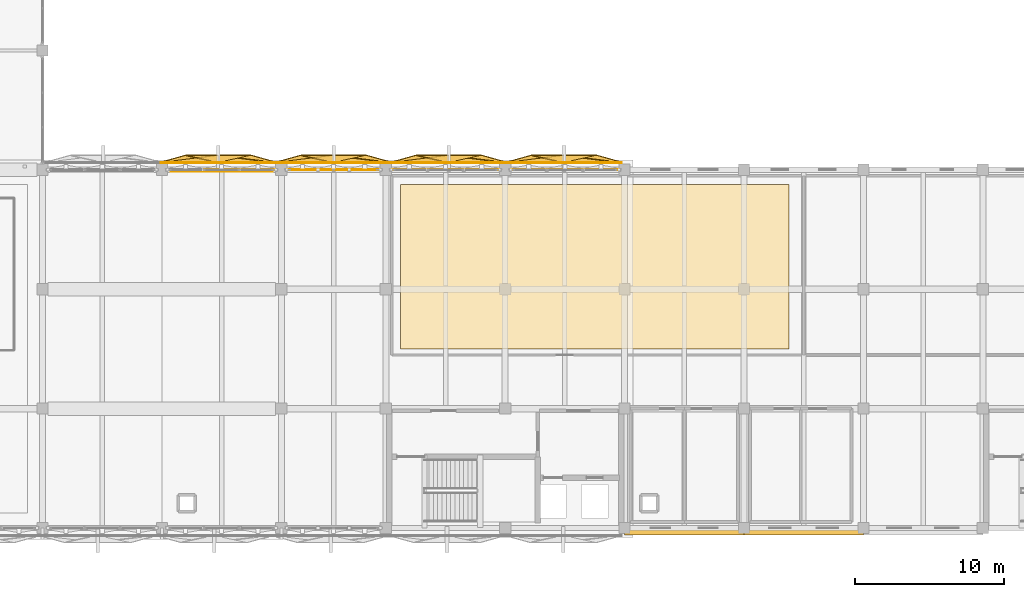
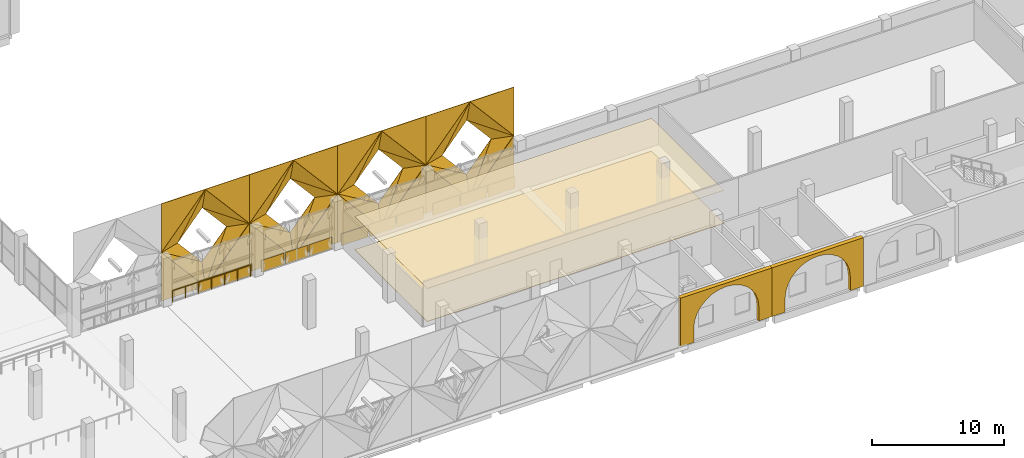
# One storey, part 47 of 53: 63 coverings, 1 railing.
"""IFC4 building model written with IfcOpenShell, lengths in metres."""

from ifc_helpers import new_model, si_unit, direction, frame, origin, origin_2d, place, context, subcontext, project, spatial, polyline, rectangle, circle, outline, extrude, material, layer, layer_set, type_object, element, save


model = new_model("IFC4")

# Units and contexts
model_context = context("Model", 3, precision=1e-05, world=origin(), true_north=direction((0.0, 1.0)))
body_context = subcontext(model_context, "Body", "Model", "MODEL_VIEW")
ifc_project = project(units=[si_unit("LENGTHUNIT", "METRE"), si_unit("AREAUNIT", "SQUARE_METRE"), si_unit("VOLUMEUNIT", "CUBIC_METRE"), si_unit("PLANEANGLEUNIT", "RADIAN"), si_unit("MASSUNIT", "GRAM", prefix="KILO")], contexts=[model_context])

# Site, building, storey
site_placement = place(None, origin())
site = spatial("IfcSite", under=ifc_project, at=site_placement, CompositionType="ELEMENT")
building_placement = place(site_placement, origin())
building = spatial("IfcBuilding", under=site, at=building_placement, Name="Qorikala Patio Media Centre", CompositionType="ELEMENT")
storey_placement = place(building_placement, frame((0.0, 0.0, 5.39990234375)))
storey = spatial("IfcBuildingStorey", under=building, at=storey_placement, Name="L01", CompositionType="ELEMENT", Elevation=5.39990234375)

# Coverings
ifc_material_1 = material(Name="Perforated Andean Timber Acoustic Ceiling", Category="wood")
ifc_layer_1 = layer(ifc_material_1, 0.0400390625)
ifc_layer_set_1 = layer_set([ifc_layer_1], Name="Perforated Andean Timber Acoustic Ceiling")
covering_type_1 = type_object("IfcCoveringType", Name="COV-CEIL-AC", PredefinedType="CEILING", material=ifc_layer_set_1)
covering_1_placement = place(storey_placement, frame((0.0, 0.0, 3.050048828125)))
element("IfcCovering", 1, at=covering_1_placement, inside=storey, type_object=covering_type_1, Name="L01 Acoustic Timber Ceiling 04", PredefinedType="CEILING", context=body_context, shape_type="SweptSolid", body=[
    extrude(outline(polyline([(83.0, 15.0), (109.0, 15.0), (109.0, 26.0), (83.0, 26.0), (83.0, 15.0)])), origin(), (0.0, 0.0, 1.0), 0.0400390625),
])
ifc_material_2 = material(Name="Golden Bronze Anodised Aluminium Panel", Category="aluminium")
ifc_layer_2 = layer(ifc_material_2, 0.044921875)
ifc_layer_set_2 = layer_set([ifc_layer_2], Name="Golden Bronze Anodised Aluminium Panel")
covering_type_2 = type_object("IfcCoveringType", Name="COV-CLAD-GOLD", PredefinedType="CLADDING", material=ifc_layer_set_2)
for number, where, z_axis, x_axis, name in (
    (2, (71.0, 27.0, 0.0), (0.0, 0.0, 1.0), (1.0, 0.0, 0.0), "L01 Golden Diamond Fold Spandrel 014"),
    (3, (73.4267578125, 27.0, 0.0), (0.0, 0.0, 1.0), (1.0, 0.0, 0.0), "L01 Golden Diamond Fold Spandrel 015"),
):
    element("IfcCovering", number, at=place(storey_placement, frame(where, z_axis=z_axis, x_axis=x_axis)), inside=storey, type_object=covering_type_2, Name=name, PredefinedType="CLADDING", context=body_context, shape_type="SweptSolid", body=[
        extrude(rectangle(XDim=2.32666015625, YDim=0.044921875, at=origin_2d()), origin(), (0.0, 0.0, 1.0), 1.077880859375),
    ])
for number, where, z_axis, x_axis, name in (
    (4, (76.40673828125, 27.0, 0.0), (0.0, 0.0, 1.0), (1.0, 0.0, 0.0), "L01 Golden Diamond Fold Spandrel 016"),
    (5, (78.5, 27.0, 0.0), (0.0, 0.0, 1.0), (1.0, 0.0, 0.0), "L01 Golden Diamond Fold Spandrel 017"),
    (6, (80.59326171875, 27.0, 0.0), (0.0, 0.0, 1.0), (1.0, 0.0, 0.0), "L01 Golden Diamond Fold Spandrel 018"),
):
    element("IfcCovering", number, at=place(storey_placement, frame(where, z_axis=z_axis, x_axis=x_axis)), inside=storey, type_object=covering_type_2, Name=name, PredefinedType="CLADDING", context=body_context, shape_type="SweptSolid", body=[
        extrude(rectangle(XDim=1.993408203125, YDim=0.044921875, at=origin_2d()), origin(), (0.0, 0.0, 1.0), 1.077880859375),
    ])
for number, where, z_axis, x_axis, name in (
    (7, (83.5732421875, 27.0, 0.0), (0.0, 0.0, 1.0), (1.0, 0.0, 0.0), "L01 Golden Diamond Fold Spandrel 019"),
    (8, (86.0, 27.0, 0.0), (0.0, 0.0, 1.0), (1.0, 0.0, 0.0), "L01 Golden Diamond Fold Spandrel 020"),
    (9, (88.4267578125, 27.0, 0.0), (0.0, 0.0, 1.0), (1.0, 0.0, 0.0), "L01 Golden Diamond Fold Spandrel 021"),
    (10, (91.5732421875, 27.0, 0.0), (0.0, 0.0, 1.0), (1.0, 0.0, 0.0), "L01 Golden Diamond Fold Spandrel 022"),
    (11, (94.0, 27.0, 0.0), (0.0, 0.0, 1.0), (1.0, 0.0, 0.0), "L01 Golden Diamond Fold Spandrel 023"),
    (12, (96.4267578125, 27.0, 0.0), (0.0, 0.0, 1.0), (1.0, 0.0, 0.0), "L01 Golden Diamond Fold Spandrel 024"),
):
    element("IfcCovering", number, at=place(storey_placement, frame(where, z_axis=z_axis, x_axis=x_axis)), inside=storey, type_object=covering_type_2, Name=name, PredefinedType="CLADDING", context=body_context, shape_type="SweptSolid", body=[
        extrude(rectangle(XDim=2.32666015625, YDim=0.044921875, at=origin_2d()), origin(), (0.0, 0.0, 1.0), 1.077880859375),
    ])
covering_2_placement = place(storey_placement, frame((70.780029296875, 27.5, 9.0), z_axis=(-0.262462378719, 0.93830974756, 0.225140661346), x_axis=(-0.651079578851, 0.0, -0.759009474251)))
element("IfcCovering", 13, at=covering_2_placement, inside=storey, type_object=covering_type_2, Name="Golden Folded Diamond Facet N-1.2.TLA", PredefinedType="CLADDING", context=body_context, shape_type="SweptSolid", body=[
    extrude(outline(polyline([(0.0, 0.0), (5.928779748684755, 0.0), (4.822929985484664, -1.373924994689336), (0.0, 0.0)])), origin(), (0.0, 0.0, -1.0), 0.044921875),
])
covering_3_placement = place(storey_placement, frame((70.780029296875, 27.5, 9.0), z_axis=(-0.262476283203, 0.938304391158, 0.225146774993), x_axis=(-0.431047420192, 0.094738906674, -0.897341997851)))
element("IfcCovering", 14, at=covering_3_placement, inside=storey, type_object=covering_type_2, Name="Golden Folded Diamond Facet N-1.2.TLB", PredefinedType="CLADDING", context=body_context, shape_type="SweptSolid", body=[
    extrude(outline(polyline([(0.0, 0.0), (5.014810418741589, 0.0), (1.8217298620516404, -0.9095827336284614), (0.0, 0.0)])), origin(), (0.0, 0.0, -1.0), 0.044921875),
])
covering_4_placement = place(storey_placement, frame((74.639892578125, 27.5, 4.5), z_axis=(0.26248543046, 0.938301971613, 0.225146194422), x_axis=(-0.651055854923, 0.0, 0.759029824032)))
element("IfcCovering", 15, at=covering_4_placement, inside=storey, type_object=covering_type_2, Name="Golden Folded Diamond Facet N-1.2.TRA", PredefinedType="CLADDING", context=body_context, shape_type="SweptSolid", body=[
    extrude(outline(polyline([(0.0, 0.0), (5.928620796605397, 0.0), (4.425756569823238, -1.3738411682083829), (0.0, 0.0)])), origin(), (0.0, 0.0, -1.0), 0.044921875),
])
covering_5_placement = place(storey_placement, frame((74.639892578125, 27.5, 4.5), z_axis=(0.262495941529, 0.938294845466, 0.225163637502), x_axis=(-0.832928561936, 0.102522389723, 0.543800671493)))
element("IfcCovering", 16, at=covering_5_placement, inside=storey, type_object=covering_type_2, Name="Golden Folded Diamond Facet N-1.2.TRB", PredefinedType="CLADDING", context=body_context, shape_type="SweptSolid", body=[
    extrude(outline(polyline([(0.0, 0.0), (4.634086832462004, -4.440892098500626e-16), (1.463222570124503, -0.9842377866436913), (0.0, 0.0)])), origin(), (0.0, 0.0, -1.0), 0.044921875),
])
covering_6_placement = place(storey_placement, frame((70.780029296875, 27.5, 0.0), z_axis=(-0.262496439609, -0.938296625859, 0.22515563749), x_axis=(0.651055854923, 0.0, 0.759029824032)))
element("IfcCovering", 17, at=covering_6_placement, inside=storey, type_object=covering_type_2, Name="Golden Folded Diamond Facet N-1.2.BRA", PredefinedType="CLADDING", context=body_context, shape_type="SweptSolid", body=[
    extrude(outline(polyline([(0.0, 0.0), (5.928620796605397, 0.0), (4.822970277355765, 1.3737835490578736), (0.0, 0.0)])), origin(), (0.0, 0.0, -1.0), 0.044921875),
])
covering_7_placement = place(storey_placement, frame((70.780029296875, 27.5, 0.0), z_axis=(-0.262476283203, -0.938304391158, 0.225146774993), x_axis=(0.431047420192, 0.094738906674, 0.897341997851)))
element("IfcCovering", 18, at=covering_7_placement, inside=storey, type_object=covering_type_2, Name="Golden Folded Diamond Facet N-1.2.BRB", PredefinedType="CLADDING", context=body_context, shape_type="SweptSolid", body=[
    extrude(outline(polyline([(0.0, 0.0), (5.014810418741589, 0.0), (1.8217298620516404, 0.9095827336284614), (0.0, 0.0)])), origin(), (0.0, 0.0, -1.0), 0.044921875),
])
covering_8_placement = place(storey_placement, frame((66.919921875, 27.5, 4.5), z_axis=(0.262469972732, -0.93830606029, 0.225147175502), x_axis=(0.651079578851, 0.0, -0.759009474251)))
element("IfcCovering", 19, at=covering_8_placement, inside=storey, type_object=covering_type_2, Name="Golden Folded Diamond Facet N-1.2.BLA", PredefinedType="CLADDING", context=body_context, shape_type="SweptSolid", body=[
    extrude(outline(polyline([(0.0, 0.0), (5.928779748684755, 4.440892098500626e-16), (4.4259558140712985, 1.3738852430820574), (0.0, 0.0)])), origin(), (0.0, 0.0, -1.0), 0.044921875),
])
covering_9_placement = place(storey_placement, frame((66.919921875, 27.5, 4.5), z_axis=(0.262462722231, -0.938310975623, 0.225135142669), x_axis=(0.83294469419, 0.102517891019, -0.5437768094)))
element("IfcCovering", 20, at=covering_9_placement, inside=storey, type_object=covering_type_2, Name="Golden Folded Diamond Facet N-1.2.BLB", PredefinedType="CLADDING", context=body_context, shape_type="SweptSolid", body=[
    extrude(outline(polyline([(0.0, 0.0), (4.634290186131008, -4.440892098500626e-16), (1.4634511849127112, 0.9843191653012606), (0.0, 0.0)])), origin(), (0.0, 0.0, -1.0), 0.044921875),
])
covering_10_placement = place(storey_placement, frame((66.919921875, 27.5, 9.0), z_axis=(0.0, 1.0, 0.0), x_axis=(1.0, 0.0, 0.0)))
element("IfcCovering", 21, at=covering_10_placement, inside=storey, type_object=covering_type_2, Name="Golden Diamond Valley Spandrel N-1.2.CTL", PredefinedType="CLADDING", context=body_context, shape_type="SweptSolid", body=[
    extrude(outline(polyline([(0.0, 0.0), (3.860107421875, 0.0), (0.0, 4.5), (0.0, 0.0)])), origin(), (0.0, 0.0, -1.0), 0.044921875),
])
covering_11_placement = place(storey_placement, frame((74.639892578125, 27.5, 9.0), z_axis=(0.0, 1.0, 0.0), x_axis=(0.0, 0.0, -1.0)))
element("IfcCovering", 22, at=covering_11_placement, inside=storey, type_object=covering_type_2, Name="Golden Diamond Valley Spandrel N-1.2.CTR", PredefinedType="CLADDING", context=body_context, shape_type="SweptSolid", body=[
    extrude(outline(polyline([(0.0, 0.0), (4.5, 0.0), (0.0, 3.85986328125), (0.0, 0.0)])), origin(), (0.0, 0.0, -1.0), 0.044921875),
])
covering_12_placement = place(storey_placement, frame((74.639892578125, 27.5, 0.0), z_axis=(0.0, 1.0, 0.0), x_axis=(-1.0, 0.0, 0.0)))
element("IfcCovering", 23, at=covering_12_placement, inside=storey, type_object=covering_type_2, Name="Golden Diamond Valley Spandrel N-1.2.CBR", PredefinedType="CLADDING", context=body_context, shape_type="SweptSolid", body=[
    extrude(outline(polyline([(0.0, 0.0), (3.85986328125, 0.0), (0.0, 4.5), (0.0, 0.0)])), origin(), (0.0, 0.0, -1.0), 0.044921875),
])
covering_13_placement = place(storey_placement, frame((66.919921875, 27.5, 0.0), z_axis=(0.0, 1.0, 0.0), x_axis=(0.0, 0.0, 1.0)))
element("IfcCovering", 24, at=covering_13_placement, inside=storey, type_object=covering_type_2, Name="Golden Diamond Valley Spandrel N-1.2.CBL", PredefinedType="CLADDING", context=body_context, shape_type="SweptSolid", body=[
    extrude(outline(polyline([(0.0, 0.0), (4.5, 0.0), (0.0, 3.860107421875), (0.0, 0.0)])), origin(), (0.0, 0.0, -1.0), 0.044921875),
])
covering_14_placement = place(storey_placement, frame((78.5, 27.5, 9.0), z_axis=(-0.262462378719, 0.93830974756, 0.225140661346), x_axis=(-0.651079578851, 0.0, -0.759009474251)))
element("IfcCovering", 25, at=covering_14_placement, inside=storey, type_object=covering_type_2, Name="Golden Folded Diamond Facet N-1.3.TLA", PredefinedType="CLADDING", context=body_context, shape_type="SweptSolid", body=[
    extrude(outline(polyline([(0.0, 0.0), (5.928779748684755, 0.0), (4.822929985484664, -1.373924994689336), (0.0, 0.0)])), origin(), (0.0, 0.0, -1.0), 0.044921875),
])
covering_15_placement = place(storey_placement, frame((78.5, 27.5, 9.0), z_axis=(-0.262476283203, 0.938304391158, 0.225146774993), x_axis=(-0.431047420192, 0.094738906674, -0.897341997851)))
element("IfcCovering", 26, at=covering_15_placement, inside=storey, type_object=covering_type_2, Name="Golden Folded Diamond Facet N-1.3.TLB", PredefinedType="CLADDING", context=body_context, shape_type="SweptSolid", body=[
    extrude(outline(polyline([(0.0, 0.0), (5.014810418741589, 0.0), (1.8217298620516404, -0.9095827336284614), (0.0, 0.0)])), origin(), (0.0, 0.0, -1.0), 0.044921875),
])
covering_16_placement = place(storey_placement, frame((82.360107421875, 27.5, 4.5), z_axis=(0.262469972732, 0.93830606029, 0.225147175502), x_axis=(-0.651079578851, 0.0, 0.759009474251)))
element("IfcCovering", 27, at=covering_16_placement, inside=storey, type_object=covering_type_2, Name="Golden Folded Diamond Facet N-1.3.TRA", PredefinedType="CLADDING", context=body_context, shape_type="SweptSolid", body=[
    extrude(outline(polyline([(0.0, 0.0), (5.928779748684755, -4.440892098500626e-16), (4.4259558140712985, -1.3738852430820574), (0.0, 0.0)])), origin(), (0.0, 0.0, -1.0), 0.044921875),
])
covering_17_placement = place(storey_placement, frame((82.360107421875, 27.5, 4.5), z_axis=(0.262462722231, 0.938310975623, 0.225135142669), x_axis=(-0.83294469419, 0.102517891019, 0.5437768094)))
element("IfcCovering", 28, at=covering_17_placement, inside=storey, type_object=covering_type_2, Name="Golden Folded Diamond Facet N-1.3.TRB", PredefinedType="CLADDING", context=body_context, shape_type="SweptSolid", body=[
    extrude(outline(polyline([(0.0, 0.0), (4.634290186131008, 4.440892098500626e-16), (1.4634511849127112, -0.9843191653012606), (0.0, 0.0)])), origin(), (0.0, 0.0, -1.0), 0.044921875),
])
covering_18_placement = place(storey_placement, frame((78.5, 27.5, 0.0), z_axis=(-0.262462378719, -0.93830974756, 0.225140661346), x_axis=(0.651079578851, 0.0, 0.759009474251)))
element("IfcCovering", 29, at=covering_18_placement, inside=storey, type_object=covering_type_2, Name="Golden Folded Diamond Facet N-1.3.BRA", PredefinedType="CLADDING", context=body_context, shape_type="SweptSolid", body=[
    extrude(outline(polyline([(0.0, 0.0), (5.928779748684755, 0.0), (4.822929985484664, 1.373924994689336), (0.0, 0.0)])), origin(), (0.0, 0.0, -1.0), 0.044921875),
])
covering_19_placement = place(storey_placement, frame((78.5, 27.5, 0.0), z_axis=(-0.262476283203, -0.938304391158, 0.225146774993), x_axis=(0.431047420192, 0.094738906674, 0.897341997851)))
element("IfcCovering", 30, at=covering_19_placement, inside=storey, type_object=covering_type_2, Name="Golden Folded Diamond Facet N-1.3.BRB", PredefinedType="CLADDING", context=body_context, shape_type="SweptSolid", body=[
    extrude(outline(polyline([(0.0, 0.0), (5.014810418741589, 0.0), (1.8217298620516404, 0.9095827336284614), (0.0, 0.0)])), origin(), (0.0, 0.0, -1.0), 0.044921875),
])
covering_20_placement = place(storey_placement, frame((74.639892578125, 27.5, 4.5), z_axis=(0.262469972732, -0.93830606029, 0.225147175502), x_axis=(0.651079578851, 0.0, -0.759009474251)))
element("IfcCovering", 31, at=covering_20_placement, inside=storey, type_object=covering_type_2, Name="Golden Folded Diamond Facet N-1.3.BLA", PredefinedType="CLADDING", context=body_context, shape_type="SweptSolid", body=[
    extrude(outline(polyline([(0.0, 0.0), (5.928779748684755, 4.440892098500626e-16), (4.4259558140712985, 1.3738852430820574), (0.0, 0.0)])), origin(), (0.0, 0.0, -1.0), 0.044921875),
])
covering_21_placement = place(storey_placement, frame((74.639892578125, 27.5, 4.5), z_axis=(0.262462722231, -0.938310975623, 0.225135142669), x_axis=(0.83294469419, 0.102517891019, -0.5437768094)))
element("IfcCovering", 32, at=covering_21_placement, inside=storey, type_object=covering_type_2, Name="Golden Folded Diamond Facet N-1.3.BLB", PredefinedType="CLADDING", context=body_context, shape_type="SweptSolid", body=[
    extrude(outline(polyline([(0.0, 0.0), (4.634290186131008, -4.440892098500626e-16), (1.4634511849127112, 0.9843191653012606), (0.0, 0.0)])), origin(), (0.0, 0.0, -1.0), 0.044921875),
])
covering_22_placement = place(storey_placement, frame((74.639892578125, 27.5, 9.0), z_axis=(0.0, 1.0, 0.0), x_axis=(1.0, 0.0, 0.0)))
element("IfcCovering", 33, at=covering_22_placement, inside=storey, type_object=covering_type_2, Name="Golden Diamond Valley Spandrel N-1.3.CTL", PredefinedType="CLADDING", context=body_context, shape_type="SweptSolid", body=[
    extrude(outline(polyline([(0.0, 0.0), (3.860107421875, 0.0), (0.0, 4.5), (0.0, 0.0)])), origin(), (0.0, 0.0, -1.0), 0.044921875),
])
covering_23_placement = place(storey_placement, frame((82.360107421875, 27.5, 9.0), z_axis=(0.0, 1.0, 0.0), x_axis=(0.0, 0.0, -1.0)))
element("IfcCovering", 34, at=covering_23_placement, inside=storey, type_object=covering_type_2, Name="Golden Diamond Valley Spandrel N-1.3.CTR", PredefinedType="CLADDING", context=body_context, shape_type="SweptSolid", body=[
    extrude(outline(polyline([(0.0, 0.0), (4.5, 0.0), (0.0, 3.860107421875), (0.0, 0.0)])), origin(), (0.0, 0.0, -1.0), 0.044921875),
])
covering_24_placement = place(storey_placement, frame((82.360107421875, 27.5, 0.0), z_axis=(0.0, 1.0, 0.0), x_axis=(-1.0, 0.0, 0.0)))
element("IfcCovering", 35, at=covering_24_placement, inside=storey, type_object=covering_type_2, Name="Golden Diamond Valley Spandrel N-1.3.CBR", PredefinedType="CLADDING", context=body_context, shape_type="SweptSolid", body=[
    extrude(outline(polyline([(0.0, 0.0), (3.860107421875, 0.0), (0.0, 4.5), (0.0, 0.0)])), origin(), (0.0, 0.0, -1.0), 0.044921875),
])
covering_25_placement = place(storey_placement, frame((74.639892578125, 27.5, 0.0), z_axis=(0.0, 1.0, 0.0), x_axis=(0.0, 0.0, 1.0)))
element("IfcCovering", 36, at=covering_25_placement, inside=storey, type_object=covering_type_2, Name="Golden Diamond Valley Spandrel N-1.3.CBL", PredefinedType="CLADDING", context=body_context, shape_type="SweptSolid", body=[
    extrude(outline(polyline([(0.0, 0.0), (4.5, 0.0), (0.0, 3.860107421875), (0.0, 0.0)])), origin(), (0.0, 0.0, -1.0), 0.044921875),
])
covering_26_placement = place(storey_placement, frame((86.219970703125, 27.5, 9.0), z_axis=(-0.262496439609, 0.938296625859, 0.22515563749), x_axis=(-0.651055854923, 0.0, -0.759029824032)))
element("IfcCovering", 37, at=covering_26_placement, inside=storey, type_object=covering_type_2, Name="Golden Folded Diamond Facet N-1.4.TLA", PredefinedType="CLADDING", context=body_context, shape_type="SweptSolid", body=[
    extrude(outline(polyline([(0.0, 0.0), (5.928620796605397, 0.0), (4.822970277355765, -1.3737835490578736), (0.0, 0.0)])), origin(), (0.0, 0.0, -1.0), 0.044921875),
])
covering_27_placement = place(storey_placement, frame((86.219970703125, 27.5, 9.0), z_axis=(-0.262476283203, 0.938304391158, 0.225146774993), x_axis=(-0.431047420192, 0.094738906674, -0.897341997851)))
element("IfcCovering", 38, at=covering_27_placement, inside=storey, type_object=covering_type_2, Name="Golden Folded Diamond Facet N-1.4.TLB", PredefinedType="CLADDING", context=body_context, shape_type="SweptSolid", body=[
    extrude(outline(polyline([(0.0, 0.0), (5.014810418741589, 0.0), (1.8217298620516404, -0.9095827336284614), (0.0, 0.0)])), origin(), (0.0, 0.0, -1.0), 0.044921875),
])
covering_28_placement = place(storey_placement, frame((90.080078125, 27.5, 4.5), z_axis=(0.262469972732, 0.93830606029, 0.225147175502), x_axis=(-0.651079578851, 0.0, 0.759009474251)))
element("IfcCovering", 39, at=covering_28_placement, inside=storey, type_object=covering_type_2, Name="Golden Folded Diamond Facet N-1.4.TRA", PredefinedType="CLADDING", context=body_context, shape_type="SweptSolid", body=[
    extrude(outline(polyline([(0.0, 0.0), (5.928779748684755, -4.440892098500626e-16), (4.4259558140712985, -1.3738852430820574), (0.0, 0.0)])), origin(), (0.0, 0.0, -1.0), 0.044921875),
])
covering_29_placement = place(storey_placement, frame((90.080078125, 27.5, 4.5), z_axis=(0.262462722231, 0.938310975623, 0.225135142669), x_axis=(-0.83294469419, 0.102517891019, 0.5437768094)))
element("IfcCovering", 40, at=covering_29_placement, inside=storey, type_object=covering_type_2, Name="Golden Folded Diamond Facet N-1.4.TRB", PredefinedType="CLADDING", context=body_context, shape_type="SweptSolid", body=[
    extrude(outline(polyline([(0.0, 0.0), (4.634290186131008, 4.440892098500626e-16), (1.4634511849127112, -0.9843191653012606), (0.0, 0.0)])), origin(), (0.0, 0.0, -1.0), 0.044921875),
])
covering_30_placement = place(storey_placement, frame((86.219970703125, 27.5, 0.0), z_axis=(-0.262462378719, -0.93830974756, 0.225140661346), x_axis=(0.651079578851, 0.0, 0.759009474251)))
element("IfcCovering", 41, at=covering_30_placement, inside=storey, type_object=covering_type_2, Name="Golden Folded Diamond Facet N-1.4.BRA", PredefinedType="CLADDING", context=body_context, shape_type="SweptSolid", body=[
    extrude(outline(polyline([(0.0, 0.0), (5.928779748684755, 0.0), (4.822929985484664, 1.373924994689336), (0.0, 0.0)])), origin(), (0.0, 0.0, -1.0), 0.044921875),
])
covering_31_placement = place(storey_placement, frame((86.219970703125, 27.5, 0.0), z_axis=(-0.262476283203, -0.938304391158, 0.225146774993), x_axis=(0.431047420192, 0.094738906674, 0.897341997851)))
element("IfcCovering", 42, at=covering_31_placement, inside=storey, type_object=covering_type_2, Name="Golden Folded Diamond Facet N-1.4.BRB", PredefinedType="CLADDING", context=body_context, shape_type="SweptSolid", body=[
    extrude(outline(polyline([(0.0, 0.0), (5.014810418741589, 0.0), (1.8217298620516404, 0.9095827336284614), (0.0, 0.0)])), origin(), (0.0, 0.0, -1.0), 0.044921875),
])
covering_32_placement = place(storey_placement, frame((82.360107421875, 27.5, 4.5), z_axis=(0.26248543046, -0.938301971613, 0.225146194422), x_axis=(0.651055854923, 0.0, -0.759029824032)))
element("IfcCovering", 43, at=covering_32_placement, inside=storey, type_object=covering_type_2, Name="Golden Folded Diamond Facet N-1.4.BLA", PredefinedType="CLADDING", context=body_context, shape_type="SweptSolid", body=[
    extrude(outline(polyline([(0.0, 0.0), (5.928620796605397, 0.0), (4.425756569823238, 1.3738411682083829), (0.0, 0.0)])), origin(), (0.0, 0.0, -1.0), 0.044921875),
])
covering_33_placement = place(storey_placement, frame((82.360107421875, 27.5, 4.5), z_axis=(0.262495941529, -0.938294845466, 0.225163637502), x_axis=(0.832928561936, 0.102522389723, -0.543800671493)))
element("IfcCovering", 44, at=covering_33_placement, inside=storey, type_object=covering_type_2, Name="Golden Folded Diamond Facet N-1.4.BLB", PredefinedType="CLADDING", context=body_context, shape_type="SweptSolid", body=[
    extrude(outline(polyline([(0.0, 0.0), (4.634086832462004, 4.440892098500626e-16), (1.463222570124503, 0.9842377866436913), (0.0, 0.0)])), origin(), (0.0, 0.0, -1.0), 0.044921875),
])
covering_34_placement = place(storey_placement, frame((82.360107421875, 27.5, 9.0), z_axis=(0.0, 1.0, 0.0), x_axis=(1.0, 0.0, 0.0)))
element("IfcCovering", 45, at=covering_34_placement, inside=storey, type_object=covering_type_2, Name="Golden Diamond Valley Spandrel N-1.4.CTL", PredefinedType="CLADDING", context=body_context, shape_type="SweptSolid", body=[
    extrude(outline(polyline([(0.0, 0.0), (3.85986328125, 0.0), (0.0, 4.5), (0.0, 0.0)])), origin(), (0.0, 0.0, -1.0), 0.044921875),
])
covering_35_placement = place(storey_placement, frame((90.080078125, 27.5, 9.0), z_axis=(0.0, 1.0, 0.0), x_axis=(0.0, 0.0, -1.0)))
element("IfcCovering", 46, at=covering_35_placement, inside=storey, type_object=covering_type_2, Name="Golden Diamond Valley Spandrel N-1.4.CTR", PredefinedType="CLADDING", context=body_context, shape_type="SweptSolid", body=[
    extrude(outline(polyline([(0.0, 0.0), (4.5, 0.0), (0.0, 3.860107421875), (0.0, 0.0)])), origin(), (0.0, 0.0, -1.0), 0.044921875),
])
covering_36_placement = place(storey_placement, frame((90.080078125, 27.5, 0.0), z_axis=(0.0, 1.0, 0.0), x_axis=(-1.0, 0.0, 0.0)))
element("IfcCovering", 47, at=covering_36_placement, inside=storey, type_object=covering_type_2, Name="Golden Diamond Valley Spandrel N-1.4.CBR", PredefinedType="CLADDING", context=body_context, shape_type="SweptSolid", body=[
    extrude(outline(polyline([(0.0, 0.0), (3.860107421875, 0.0), (0.0, 4.5), (0.0, 0.0)])), origin(), (0.0, 0.0, -1.0), 0.044921875),
])
covering_37_placement = place(storey_placement, frame((82.360107421875, 27.5, 0.0), z_axis=(0.0, 1.0, 0.0), x_axis=(0.0, 0.0, 1.0)))
element("IfcCovering", 48, at=covering_37_placement, inside=storey, type_object=covering_type_2, Name="Golden Diamond Valley Spandrel N-1.4.CBL", PredefinedType="CLADDING", context=body_context, shape_type="SweptSolid", body=[
    extrude(outline(polyline([(0.0, 0.0), (4.5, 0.0), (0.0, 3.85986328125), (0.0, 0.0)])), origin(), (0.0, 0.0, -1.0), 0.044921875),
])
covering_38_placement = place(storey_placement, frame((93.93994140625, 27.5, 9.0), z_axis=(-0.262496439609, 0.938296625859, 0.22515563749), x_axis=(-0.651055854923, 0.0, -0.759029824032)))
element("IfcCovering", 49, at=covering_38_placement, inside=storey, type_object=covering_type_2, Name="Golden Folded Diamond Facet N-1.5.TLA", PredefinedType="CLADDING", context=body_context, shape_type="SweptSolid", body=[
    extrude(outline(polyline([(0.0, 0.0), (5.928620796605397, 0.0), (4.822970277355765, -1.3737835490578736), (0.0, 0.0)])), origin(), (0.0, 0.0, -1.0), 0.044921875),
])
covering_39_placement = place(storey_placement, frame((93.93994140625, 27.5, 9.0), z_axis=(-0.262476283203, 0.938304391158, 0.225146774993), x_axis=(-0.431047420192, 0.094738906674, -0.897341997851)))
element("IfcCovering", 50, at=covering_39_placement, inside=storey, type_object=covering_type_2, Name="Golden Folded Diamond Facet N-1.5.TLB", PredefinedType="CLADDING", context=body_context, shape_type="SweptSolid", body=[
    extrude(outline(polyline([(0.0, 0.0), (5.014810418741589, 0.0), (1.8217298620516404, -0.9095827336284614), (0.0, 0.0)])), origin(), (0.0, 0.0, -1.0), 0.044921875),
])
covering_40_placement = place(storey_placement, frame((97.800048828125, 27.5, 4.5), z_axis=(0.262469972732, 0.93830606029, 0.225147175502), x_axis=(-0.651079578851, 0.0, 0.759009474251)))
element("IfcCovering", 51, at=covering_40_placement, inside=storey, type_object=covering_type_2, Name="Golden Folded Diamond Facet N-1.5.TRA", PredefinedType="CLADDING", context=body_context, shape_type="SweptSolid", body=[
    extrude(outline(polyline([(0.0, 0.0), (5.928779748684755, -4.440892098500626e-16), (4.4259558140712985, -1.3738852430820574), (0.0, 0.0)])), origin(), (0.0, 0.0, -1.0), 0.044921875),
])
covering_41_placement = place(storey_placement, frame((97.800048828125, 27.5, 4.5), z_axis=(0.262462722231, 0.938310975623, 0.225135142669), x_axis=(-0.83294469419, 0.102517891019, 0.5437768094)))
element("IfcCovering", 52, at=covering_41_placement, inside=storey, type_object=covering_type_2, Name="Golden Folded Diamond Facet N-1.5.TRB", PredefinedType="CLADDING", context=body_context, shape_type="SweptSolid", body=[
    extrude(outline(polyline([(0.0, 0.0), (4.634290186131008, 4.440892098500626e-16), (1.4634511849127112, -0.9843191653012606), (0.0, 0.0)])), origin(), (0.0, 0.0, -1.0), 0.044921875),
])
covering_42_placement = place(storey_placement, frame((93.93994140625, 27.5, 0.0), z_axis=(-0.262462378719, -0.93830974756, 0.225140661346), x_axis=(0.651079578851, 0.0, 0.759009474251)))
element("IfcCovering", 53, at=covering_42_placement, inside=storey, type_object=covering_type_2, Name="Golden Folded Diamond Facet N-1.5.BRA", PredefinedType="CLADDING", context=body_context, shape_type="SweptSolid", body=[
    extrude(outline(polyline([(0.0, 0.0), (5.928779748684755, 0.0), (4.822929985484664, 1.373924994689336), (0.0, 0.0)])), origin(), (0.0, 0.0, -1.0), 0.044921875),
])
covering_43_placement = place(storey_placement, frame((93.93994140625, 27.5, 0.0), z_axis=(-0.262476283203, -0.938304391158, 0.225146774993), x_axis=(0.431047420192, 0.094738906674, 0.897341997851)))
element("IfcCovering", 54, at=covering_43_placement, inside=storey, type_object=covering_type_2, Name="Golden Folded Diamond Facet N-1.5.BRB", PredefinedType="CLADDING", context=body_context, shape_type="SweptSolid", body=[
    extrude(outline(polyline([(0.0, 0.0), (5.014810418741589, 0.0), (1.8217298620516404, 0.9095827336284614), (0.0, 0.0)])), origin(), (0.0, 0.0, -1.0), 0.044921875),
])
covering_44_placement = place(storey_placement, frame((90.080078125, 27.5, 4.5), z_axis=(0.26248543046, -0.938301971613, 0.225146194422), x_axis=(0.651055854923, 0.0, -0.759029824032)))
element("IfcCovering", 55, at=covering_44_placement, inside=storey, type_object=covering_type_2, Name="Golden Folded Diamond Facet N-1.5.BLA", PredefinedType="CLADDING", context=body_context, shape_type="SweptSolid", body=[
    extrude(outline(polyline([(0.0, 0.0), (5.928620796605397, 0.0), (4.425756569823238, 1.3738411682083829), (0.0, 0.0)])), origin(), (0.0, 0.0, -1.0), 0.044921875),
])
covering_45_placement = place(storey_placement, frame((90.080078125, 27.5, 4.5), z_axis=(0.262495941529, -0.938294845466, 0.225163637502), x_axis=(0.832928561936, 0.102522389723, -0.543800671493)))
element("IfcCovering", 56, at=covering_45_placement, inside=storey, type_object=covering_type_2, Name="Golden Folded Diamond Facet N-1.5.BLB", PredefinedType="CLADDING", context=body_context, shape_type="SweptSolid", body=[
    extrude(outline(polyline([(0.0, 0.0), (4.634086832462004, 4.440892098500626e-16), (1.463222570124503, 0.9842377866436913), (0.0, 0.0)])), origin(), (0.0, 0.0, -1.0), 0.044921875),
])
covering_46_placement = place(storey_placement, frame((90.080078125, 27.5, 9.0), z_axis=(0.0, 1.0, 0.0), x_axis=(1.0, 0.0, 0.0)))
element("IfcCovering", 57, at=covering_46_placement, inside=storey, type_object=covering_type_2, Name="Golden Diamond Valley Spandrel N-1.5.CTL", PredefinedType="CLADDING", context=body_context, shape_type="SweptSolid", body=[
    extrude(outline(polyline([(0.0, 0.0), (3.85986328125, 0.0), (0.0, 4.5), (0.0, 0.0)])), origin(), (0.0, 0.0, -1.0), 0.044921875),
])
covering_47_placement = place(storey_placement, frame((97.800048828125, 27.5, 9.0), z_axis=(0.0, 1.0, 0.0), x_axis=(0.0, 0.0, -1.0)))
element("IfcCovering", 58, at=covering_47_placement, inside=storey, type_object=covering_type_2, Name="Golden Diamond Valley Spandrel N-1.5.CTR", PredefinedType="CLADDING", context=body_context, shape_type="SweptSolid", body=[
    extrude(outline(polyline([(0.0, 0.0), (4.5, 0.0), (0.0, 3.860107421875), (0.0, 0.0)])), origin(), (0.0, 0.0, -1.0), 0.044921875),
])
covering_48_placement = place(storey_placement, frame((97.800048828125, 27.5, 0.0), z_axis=(0.0, 1.0, 0.0), x_axis=(-1.0, 0.0, 0.0)))
element("IfcCovering", 59, at=covering_48_placement, inside=storey, type_object=covering_type_2, Name="Golden Diamond Valley Spandrel N-1.5.CBR", PredefinedType="CLADDING", context=body_context, shape_type="SweptSolid", body=[
    extrude(outline(polyline([(0.0, 0.0), (3.860107421875, 0.0), (0.0, 4.5), (0.0, 0.0)])), origin(), (0.0, 0.0, -1.0), 0.044921875),
])
covering_49_placement = place(storey_placement, frame((90.080078125, 27.5, 0.0), z_axis=(0.0, 1.0, 0.0), x_axis=(0.0, 0.0, 1.0)))
element("IfcCovering", 60, at=covering_49_placement, inside=storey, type_object=covering_type_2, Name="Golden Diamond Valley Spandrel N-1.5.CBL", PredefinedType="CLADDING", context=body_context, shape_type="SweptSolid", body=[
    extrude(outline(polyline([(0.0, 0.0), (4.5, 0.0), (0.0, 3.85986328125), (0.0, 0.0)])), origin(), (0.0, 0.0, -1.0), 0.044921875),
])
ifc_material_3 = material(Name="Comanche Granite Ashlar Stone", Category="masonry")
ifc_layer_3 = layer(ifc_material_3, 0.06005859375)
ifc_layer_set_3 = layer_set([ifc_layer_3], Name="Comanche Granite Ashlar Stone")
covering_type_3 = type_object("IfcCoveringType", Name="COV-CLAD-STONE", PredefinedType="CLADDING", material=ifc_layer_set_3)
for number, where, z_axis, x_axis, name in (
    (61, (98.0, 2.719970703125, 0.0), (0.0, 0.0, 1.0), (1.0, 0.0, 0.0), "Spanish Colonial Stone Arched Arcade UARC-V7S-1"),
    (62, (106.0, 2.719970703125, 0.0), (0.0, 0.0, 1.0), (1.0, 0.0, 0.0), "Spanish Colonial Stone Arched Arcade UARC-V7S-2"),
):
    element("IfcCovering", number, at=place(storey_placement, frame(where, z_axis=z_axis, x_axis=x_axis)), inside=storey, type_object=covering_type_3, Name=name, PredefinedType="CLADDING", context=body_context, shape_type="SweptSolid", body=[
        extrude(outline(polyline([(0.0, 0.0), (1.14990234375, 0.0), (1.14990234375, 1.330078125), (1.221435546875, 1.964111328125), (1.43212890625, 2.566650390625), (1.771728515625, 3.10693359375), (2.22314453125, 3.55810546875), (2.763427734375, 3.897705078125), (3.36572265625, 4.1083984375), (4.0, 4.179931640625), (4.63427734375, 4.1083984375), (5.236572265625, 3.897705078125), (5.77685546875, 3.55810546875), (6.228271484375, 3.10693359375), (6.56787109375, 2.566650390625), (6.778564453125, 1.964111328125), (6.85009765625, 1.330078125), (6.85009765625, 0.0), (8.0, 0.0), (8.0, 4.5), (0.0, 4.5), (0.0, 0.0)])), frame((0.0, 0.18017578125, 0.0), z_axis=(0.0, -1.0, 0.0), x_axis=(1.0, 0.0, 0.0)), (0.0, 0.0, 1.0), 0.360107421875),
    ])
ifc_material_4 = material(Name="Honed Comanche Granite Flooring", Category="masonry")
ifc_layer_4 = layer(ifc_material_4, 0.034912109375)
ifc_layer_set_4 = layer_set([ifc_layer_4], Name="Honed Comanche Granite Flooring")
covering_type_4 = type_object("IfcCoveringType", Name="COV-FLOR-STONE", PredefinedType="FLOORING", material=ifc_layer_set_4)
covering_50_placement = place(storey_placement, origin())
element("IfcCovering", 63, at=covering_50_placement, inside=storey, type_object=covering_type_4, Name="L01 Honed Comanche Granite Flooring 04", PredefinedType="FLOORING", context=body_context, shape_type="SweptSolid", body=[
    extrude(outline(polyline([(83.0, 15.0), (109.0, 15.0), (109.0, 26.0), (83.0, 26.0), (83.0, 15.0)])), origin(), (0.0, 0.0, 1.0), 0.03515625),
])

# Railing
ifc_material_5 = material(Name="Spanish Colonial Wrought Bronze Balustrade")
railing_type = type_object("IfcRailingType", Name="RL-BAL-110", PredefinedType="BALUSTRADE", material=ifc_material_5)
railing_placement = place(storey_placement, frame((67.60009765625, 26.89990234375, 0.0)))
element("IfcRailing", 64, at=railing_placement, inside=storey, type_object=railing_type, Name="L01 Colonial Patio Balustrade 03", PredefinedType="BALUSTRADE", context=body_context, shape_type="SweptSolid", body=[
    extrude(circle(Radius=0.02392578125, at=origin_2d()), frame((0.0, 0.0, 1.076171875), z_axis=(1.0, 0.0, 0.0), x_axis=(0.0, 1.0, 0.0)), (0.0, 0.0, 1.0), 6.7998046875),
    extrude(circle(Radius=0.02099609375, at=origin_2d()), origin(), (0.0, 0.0, 1.0), 1.052001953125),
    extrude(circle(Radius=0.02099609375, at=origin_2d()), frame((1.13330078125, 0.0, 0.0)), (0.0, 0.0, 1.0), 1.052001953125),
    extrude(circle(Radius=0.02099609375, at=origin_2d()), frame((2.2666015625, 0.0, 0.0)), (0.0, 0.0, 1.0), 1.052001953125),
    extrude(circle(Radius=0.02099609375, at=origin_2d()), frame((3.39990234375, 0.0, 0.0)), (0.0, 0.0, 1.0), 1.052001953125),
    extrude(circle(Radius=0.02099609375, at=origin_2d()), frame((4.533203125, 0.0, 0.0)), (0.0, 0.0, 1.0), 1.052001953125),
    extrude(circle(Radius=0.02099609375, at=origin_2d()), frame((5.66650390625, 0.0, 0.0)), (0.0, 0.0, 1.0), 1.052001953125),
    extrude(circle(Radius=0.02099609375, at=origin_2d()), frame((6.7998046875, 0.0, 0.0)), (0.0, 0.0, 1.0), 1.052001953125),
])

save(model, "model.ifc")
